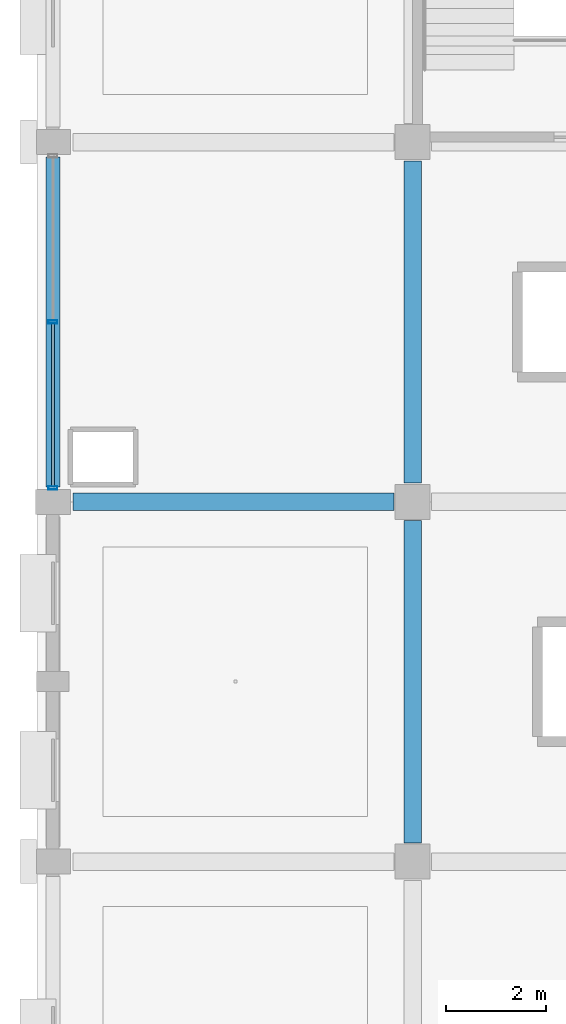
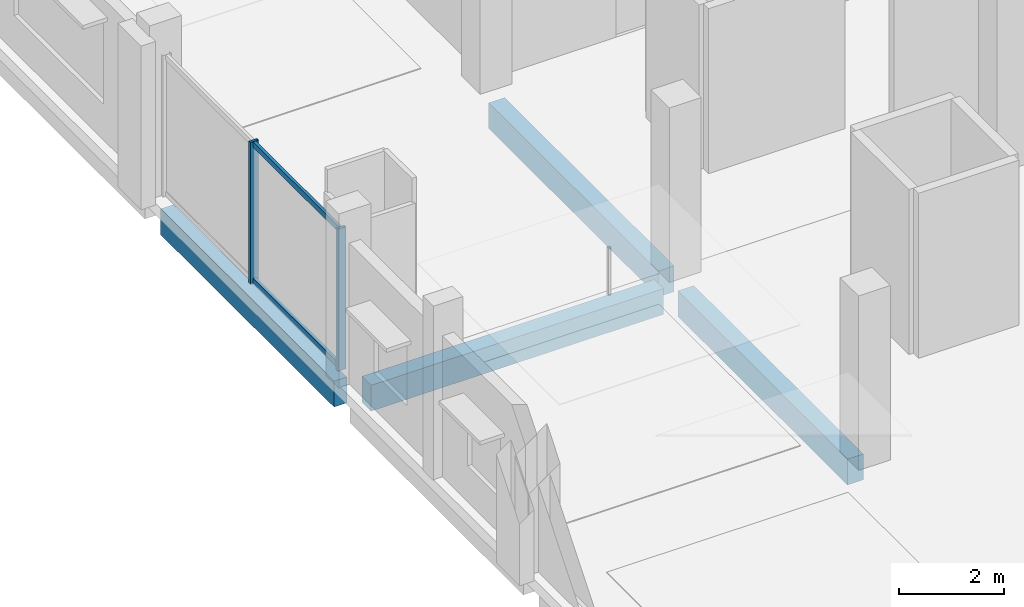
# One storey, part 11 of 77: 4 beams, 4 members, 1 element without a shape of its own.
"""IFC4 building model written with IfcOpenShell, lengths in metres."""

from ifc_helpers import new_model, si_unit, direction, frame, origin, origin_2d, place, context, subcontext, project, spatial, rectangle, hollow_rectangle, extrude, material, layer, layer_set, material_profile, profile_set, type_object, element, aggregate, save


model = new_model("IFC4")

# Units and contexts
model_context = context("Model", 3, precision=1e-05, world=origin(), true_north=direction((0.0, 1.0)))
body_context = subcontext(model_context, "Body", "Model", "MODEL_VIEW")
ifc_project = project(units=[si_unit("LENGTHUNIT", "METRE"), si_unit("AREAUNIT", "SQUARE_METRE"), si_unit("VOLUMEUNIT", "CUBIC_METRE"), si_unit("PLANEANGLEUNIT", "RADIAN"), si_unit("MASSUNIT", "GRAM", prefix="KILO")], contexts=[model_context])

# Site, building, storey
site_placement = place(None, origin())
site = spatial("IfcSite", under=ifc_project, at=site_placement, CompositionType="ELEMENT")
building_placement = place(site_placement, origin())
building = spatial("IfcBuilding", under=site, at=building_placement, Name="Kangsadwip Square Police Headquarters", CompositionType="ELEMENT")
storey_placement = place(building_placement, frame((0.0, 0.0, 17.550048828125)))
storey = spatial("IfcBuildingStorey", under=building, at=storey_placement, Name="L04", CompositionType="ELEMENT", Elevation=17.550048828125)

# Curtain wall, members
ifc_material_1 = material(Name="Thermally broken anodised aluminium AW-6063-T6", Category="aluminium")
ifc_layer = layer(ifc_material_1, 0.159912109375)
ifc_layer_set = layer_set([ifc_layer], Name="Thermally broken anodised aluminium AW-6063-T6")
curtain_wall_type = type_object("IfcCurtainWallType", Name="UnitisedCw6710x3300", PredefinedType="NOTDEFINED", material=ifc_layer_set)
curtain_wall_placement = place(storey_placement, origin())
curtain_wall = element("IfcCurtainWall", 1, at=curtain_wall_placement, inside=storey, type_object=curtain_wall_type, Name="Curtain Wall CW-L04-0000-0650", PredefinedType="NOTDEFINED")
ifc_material_2 = material(Name="Thermally broken anodised aluminium AW-6063-T6", Category="aluminium")
ifc_material_profile_1 = material_profile(ifc_material_2, hollow_rectangle(XDim=0.06494140625, YDim=0.179931640625, WallThickness=0.00390625, at=origin_2d()), Name="CWM 180X65X4")
ifc_profile_set_1 = profile_set([ifc_material_profile_1], Name="Thermally broken anodised aluminium AW-6063-T6")
member_type_1 = type_object("IfcMemberType", Name="CwMullion160x65", PredefinedType="MULLION", material=ifc_profile_set_1)
member_1_placement = place(storey_placement, frame((0.0, 65.077392578125, 0.0), z_axis=(0.0, 0.0, 1.0), x_axis=(0.0, 1.0, 0.0)))
member_1 = element("IfcMember", 2, at=member_1_placement, type_object=member_type_1, Name="CW-45 mullion 1", PredefinedType="MULLION", context=body_context, shape_type="SweptSolid", body=[
    extrude(hollow_rectangle(XDim=0.06494140625, YDim=0.179931640625, WallThickness=0.00390625, at=origin_2d()), origin(), (0.0, 0.0, 1.0), 3.300048828125),
])
member_2_placement = place(storey_placement, frame((0.0, 68.39990234375, 0.0), z_axis=(0.0, 0.0, 1.0), x_axis=(0.0, 1.0, 0.0)))
member_2 = element("IfcMember", 3, at=member_2_placement, type_object=member_type_1, Name="CW-45 mullion 2", PredefinedType="MULLION", context=body_context, shape_type="SweptSolid", body=[
    extrude(hollow_rectangle(XDim=0.06494140625, YDim=0.179931640625, WallThickness=0.00390625, at=origin_2d()), origin(), (0.0, 0.0, 1.0), 3.300048828125),
])
ifc_material_3 = material(Name="Thermally broken anodised aluminium AW-6063-T6", Category="aluminium")
ifc_material_profile_2 = material_profile(ifc_material_3, hollow_rectangle(XDim=0.06494140625, YDim=0.1298828125, WallThickness=0.00390625, at=origin_2d()), Name="CWT 130X65X4")
ifc_profile_set_2 = profile_set([ifc_material_profile_2], Name="Thermally broken anodised aluminium AW-6063-T6")
member_type_2 = type_object("IfcMemberType", Name="CwTransom140x60", PredefinedType="USERDEFINED", material=ifc_profile_set_2)
member_3_placement = place(storey_placement, frame((0.0, 65.110107421875, 0.06494140625), z_axis=(0.0, 1.0, 0.0), x_axis=(-1.0, 0.0, 0.0)))
member_3 = element("IfcMember", 4, at=member_3_placement, type_object=member_type_2, Name="CW-45 transom 1.1", ObjectType="TRANSOM", PredefinedType="USERDEFINED", context=body_context, shape_type="SweptSolid", body=[
    extrude(hollow_rectangle(XDim=0.06494140625, YDim=0.1298828125, WallThickness=0.00390625, at=origin_2d()), origin(), (0.0, 0.0, 1.0), 3.25732421875),
])
member_4_placement = place(storey_placement, frame((0.0, 65.110107421875, 3.23486328125), z_axis=(0.0, 1.0, 0.0), x_axis=(-1.0, 0.0, 0.0)))
member_4 = element("IfcMember", 5, at=member_4_placement, type_object=member_type_2, Name="CW-45 transom 1.2", ObjectType="TRANSOM", PredefinedType="USERDEFINED", context=body_context, shape_type="SweptSolid", body=[
    extrude(hollow_rectangle(XDim=0.06494140625, YDim=0.1298828125, WallThickness=0.00390625, at=origin_2d()), origin(), (0.0, 0.0, 1.0), 3.25732421875),
])
aggregate(curtain_wall, [member_1, member_2, member_3, member_4])

# Beams
ifc_material_4 = material(Name="Concrete M35 (35 MPa)", Category="concrete")
ifc_material_profile_3 = material_profile(ifc_material_4, rectangle(XDim=0.35009765625, YDim=0.60009765625, at=origin_2d()), Name="RC BM 600X350")
ifc_profile_set_3 = profile_set([ifc_material_profile_3], Name="Concrete M35 (35 MPa)")
beam_type_1 = type_object("IfcBeamType", Name="RcBeam600x350", PredefinedType="BEAM", material=ifc_profile_set_3)
beam_1_placement = place(storey_placement, frame((0.39990234375, 64.800048828125, -0.5400390625), z_axis=(1.0, 0.0, 0.0), x_axis=(0.0, 1.0, 0.0)))
element("IfcBeam", 6, at=beam_1_placement, inside=storey, type_object=beam_type_1, Name="Beam BM-L04-X-00-09", PredefinedType="BEAM", context=body_context, shape_type="SweptSolid", body=[
    extrude(rectangle(XDim=0.35009765625, YDim=0.60009765625, at=origin_2d()), origin(), (0.0, 0.0, 1.0), 6.425048828125),
])
for number, where, z_axis, x_axis, name in (
    (7, (7.199951171875, 57.97509765625, -0.5400390625), (0.0, 1.0, 0.0), (-1.0, 0.0, 0.0), "Beam BM-L04-Y-01-08"),
    (8, (7.199951171875, 65.175048828125, -0.5400390625), (0.0, 1.0, 0.0), (-1.0, 0.0, 0.0), "Beam BM-L04-Y-01-09"),
):
    element("IfcBeam", number, at=place(storey_placement, frame(where, z_axis=z_axis, x_axis=x_axis)), inside=storey, type_object=beam_type_1, Name=name, PredefinedType="BEAM", context=body_context, shape_type="SweptSolid", body=[
        extrude(rectangle(XDim=0.35009765625, YDim=0.60009765625, at=origin_2d()), origin(), (0.0, 0.0, 1.0), 6.449951171875),
    ])
ifc_material_5 = material(Name="Concrete M40 (40 MPa)", Category="concrete")
ifc_material_profile_4 = material_profile(ifc_material_5, rectangle(XDim=0.280029296875, YDim=0.60009765625, at=origin_2d()), Name="RC SPN 600X280")
ifc_profile_set_4 = profile_set([ifc_material_profile_4], Name="Concrete M40 (40 MPa)")
beam_type_2 = type_object("IfcBeamType", Name="RcSpandrel600x280", PredefinedType="SPANDREL", material=ifc_profile_set_4)
beam_2_placement = place(storey_placement, frame((0.0, 65.10009765625, -0.5400390625), z_axis=(0.0, 1.0, 0.0), x_axis=(-1.0, 0.0, 0.0)))
element("IfcBeam", 9, at=beam_2_placement, inside=storey, type_object=beam_type_2, Name="Beam BM-L04-Y-00-09", PredefinedType="SPANDREL", context=body_context, shape_type="SweptSolid", body=[
    extrude(rectangle(XDim=0.280029296875, YDim=0.60009765625, at=origin_2d()), origin(), (0.0, 0.0, 1.0), 6.599853515625),
])

save(model, "model.ifc")
